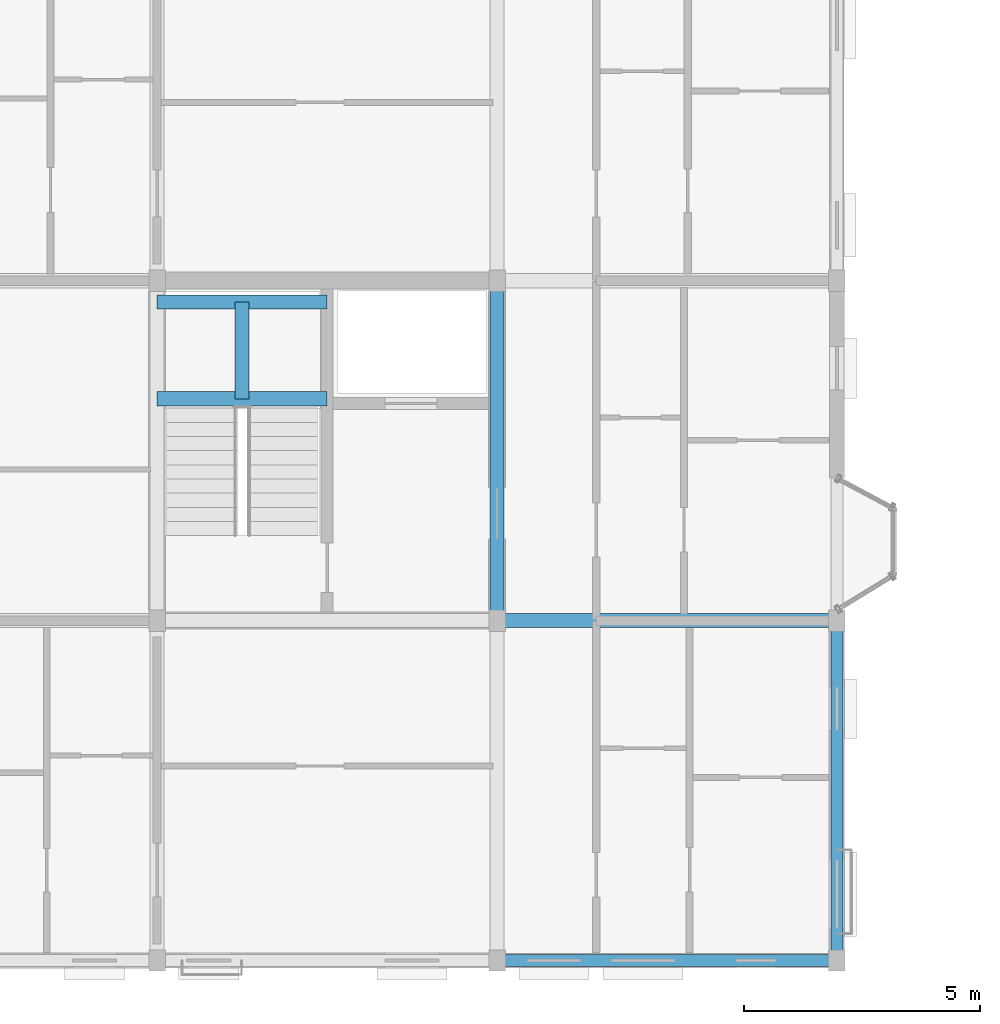
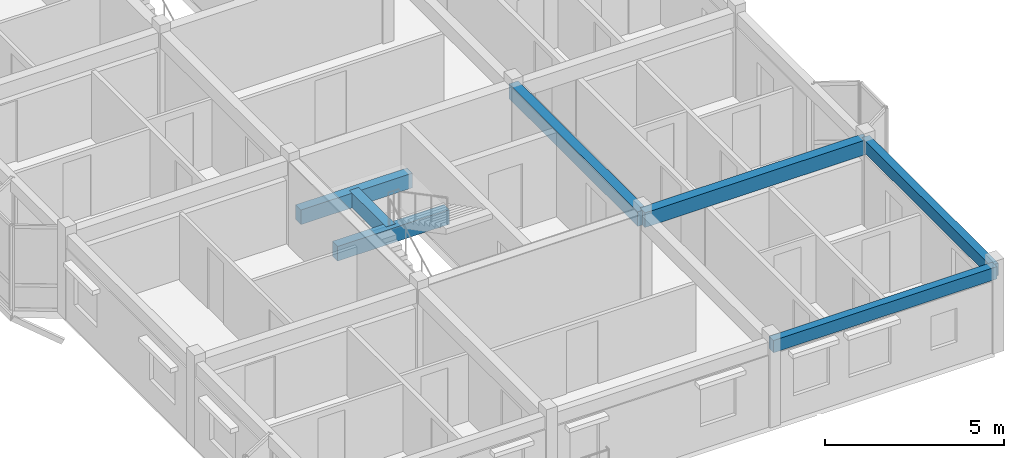
# One storey, part 5 of 22: 7 beams.
"""IFC4 building model written with IfcOpenShell, lengths in metres."""

import ifcopenshell
import ifcopenshell.guid

model = None  # the IFC model being written
_history = None  # IfcOwnerHistory: only IFC2X3 demands one
_inside = {}  # id of a spatial element -> (the spatial element, [elements in it])
_under = {}  # id of a project, library or spatial element -> (it, [spatial elements below it])
_declared = {}  # id of a project -> (the project, [libraries it declares])
_typed = {}  # id of a type object -> (the type object, [elements of that type])
_made_of = {}  # id of a material, layer set ... -> (it, [elements and type objects made of it])


def new_model(schema):
    """Start an empty IFC model of exactly this schema.

    Asked for "IFC4X3", IfcOpenShell would pick the latest addendum, in which some entities
    have other attributes; the version numbers below select the first issue.
    IFC2X3 requires an IfcOwnerHistory on every rooted entity: one is made here for all.
    """
    global model, _history
    if schema == "IFC4X3":
        model = ifcopenshell.file(schema_version=(4, 3, 0, 0))
    else:
        model = ifcopenshell.file(schema=schema)
    _inside.clear()
    _under.clear()
    _declared.clear()
    _typed.clear()
    _made_of.clear()
    _history = None
    if model.schema == "IFC2X3":
        org = make("IfcOrganization", Name="unknown")
        user = make(
            "IfcPersonAndOrganization",
            ThePerson=make("IfcPerson", FamilyName="unknown"),
            TheOrganization=org,
        )
        app = make(
            "IfcApplication",
            ApplicationDeveloper=org,
            Version="unknown",
            ApplicationFullName="unknown",
            ApplicationIdentifier="unknown",
        )
        _history = make(
            "IfcOwnerHistory",
            OwningUser=user,
            OwningApplication=app,
            ChangeAction="ADDED",
            CreationDate=0,
        )
    return model


def make(cls, **values):
    """One entity of the class cls with the attributes given. An attribute that is None is left unset."""
    return model.create_entity(
        cls, **{name: value for name, value in values.items() if value is not None}
    )


def rooted(cls, **values):
    """An entity with a GlobalId (a new one), such as an element, a storey or a relation."""
    return make(cls, GlobalId=ifcopenshell.guid.new(), OwnerHistory=_history, **values)


def si_unit(unit_type, name, prefix=None):
    """IfcSIUnit, for example si_unit("LENGTHUNIT", "METRE", prefix="MILLI")."""
    return make("IfcSIUnit", UnitType=unit_type, Prefix=prefix, Name=name)


def assignment(units):
    """IfcUnitAssignment: the units of a project."""
    return None if units is None else make("IfcUnitAssignment", Units=units)


def point(xyz):
    """IfcCartesianPoint."""
    return None if xyz is None else make("IfcCartesianPoint", Coordinates=xyz)


def direction(xyz):
    """IfcDirection."""
    return None if xyz is None else make("IfcDirection", DirectionRatios=xyz)


def frame(location, z_axis=None, x_axis=None):
    """IfcAxis2Placement3D, a coordinate frame: its origin and axes. An axis left out is left unset."""
    return make(
        "IfcAxis2Placement3D",
        Location=point(location),
        Axis=direction(z_axis),
        RefDirection=direction(x_axis),
    )


def frame_2d(location, x_axis=None):
    """IfcAxis2Placement2D, a coordinate frame in the plane: its origin and x axis."""
    return make(
        "IfcAxis2Placement2D", Location=point(location), RefDirection=direction(x_axis)
    )


def origin():
    """The frame at (0, 0, 0) with its axes left unset."""
    return frame((0.0, 0.0, 0.0))


def origin_2d():
    """The frame at (0, 0) in the plane with its x axis left unset."""
    return frame_2d((0.0, 0.0))


def place(relative_to, where):
    """IfcLocalPlacement: puts the frame where relative to a parent placement (None: the world)."""
    return make(
        "IfcLocalPlacement", PlacementRelTo=relative_to, RelativePlacement=where
    )


def context(
    kind, dimensions, precision=None, world=None, true_north=None, identifier=None
):
    """IfcGeometricRepresentationContext, for example the 3D "Model" context."""
    return make(
        "IfcGeometricRepresentationContext",
        ContextIdentifier=identifier,
        ContextType=kind,
        CoordinateSpaceDimension=dimensions,
        Precision=precision,
        WorldCoordinateSystem=world,
        TrueNorth=true_north,
    )


def subcontext(parent, identifier, kind, view, scale=None):
    """IfcGeometricRepresentationSubContext, for example "Body" below "Model"."""
    return make(
        "IfcGeometricRepresentationSubContext",
        ContextIdentifier=identifier,
        ContextType=kind,
        ParentContext=parent,
        TargetScale=scale,
        TargetView=view,
    )


def project(units=None, contexts=None):
    """IfcProject with its units and contexts."""
    return rooted(
        "IfcProject",
        Name="project",
        RepresentationContexts=contexts,
        UnitsInContext=assignment(units),
    )


def spatial(cls, under=None, at=None, **own):
    """A site, building, storey or space (cls), placed at a placement, below another one or the project."""
    s = rooted(cls, ObjectPlacement=at, **own)
    if under is not None:
        _under.setdefault(under.id(), (under, []))[1].append(s)
    return s


def profile(cls, at=None, kind="AREA", **sizes):
    """A parametric profile (cls). Its sizes go by their IFC names, for example OverallWidth=200.0."""
    return make(cls, ProfileType=kind, Position=at, **sizes)


def rectangle(**sizes):
    """IfcRectangleProfileDef."""
    return profile("IfcRectangleProfileDef", **sizes)


def extrude(swept, where, along, depth):
    """IfcExtrudedAreaSolid: the profile swept, set in the frame where, extruded along a direction by depth."""
    return make(
        "IfcExtrudedAreaSolid",
        SweptArea=swept,
        Position=where,
        ExtrudedDirection=direction(along),
        Depth=depth,
    )


def shape(context_of_items, identifier, shape_type, items):
    """IfcShapeRepresentation: the items that make up one representation, for example the "Body"."""
    return make(
        "IfcShapeRepresentation",
        ContextOfItems=context_of_items,
        RepresentationIdentifier=identifier,
        RepresentationType=shape_type,
        Items=items,
    )


def material(Name=None, Category=None):
    """IfcMaterial."""
    return make("IfcMaterial", Name=Name, Category=Category)


def material_profile(
    of_material, cross_section, Name=None, Category=None, Priority=None
):
    """IfcMaterialProfile: a cross section and its material."""
    return make(
        "IfcMaterialProfile",
        Name=Name,
        Material=of_material,
        Profile=cross_section,
        Priority=Priority,
        Category=Category,
    )


def profile_set(profiles, Name=None, composite=None):
    """IfcMaterialProfileSet."""
    return make(
        "IfcMaterialProfileSet",
        Name=Name,
        MaterialProfiles=profiles,
        CompositeProfile=composite,
    )


def made_of(thing, what):
    """Note that an element or type object is made of a material, layer set ...; save() writes the relation."""
    if what is not None:
        _made_of.setdefault(what.id(), (what, []))[1].append(thing)
    return thing


def type_object(cls, material=None, **own):
    """A type object (cls), such as IfcWallType, which elements share."""
    return made_of(rooted(cls, **own), material)


def element(
    cls,
    number,
    at=None,
    inside=None,
    cuts=None,
    type_object=None,
    material=None,
    context=None,
    identifier="Body",
    shape_type=None,
    held_by="IfcProductDefinitionShape",
    body=None,
    shapes=None,
    **own,
):
    """One element of the class cls, such as IfcWall. Its Tag is "e" and its number.

    at: its placement. inside: the storey or other place that contains it. cuts: it is an
    opening in that element (IfcRelVoidsElement). A single representation is given by context,
    identifier, shape_type and body (its items); several are given by shapes. held_by: the class
    of the entity that holds the representations. save() writes the other relations.
    """
    e = rooted(cls, Tag="e%d" % number, ObjectPlacement=at, **own)
    if body is not None:
        shapes = [shape(context, identifier, shape_type, body)]
    if shapes is not None:
        e.Representation = make(held_by, Representations=shapes)
    if inside is not None:
        _inside.setdefault(inside.id(), (inside, []))[1].append(e)
    if cuts is not None:
        rooted(
            "IfcRelVoidsElement", RelatingBuildingElement=cuts, RelatedOpeningElement=e
        )
    if type_object is not None:
        _typed.setdefault(type_object.id(), (type_object, []))[1].append(e)
    return made_of(e, material)


def aggregate(whole, parts):
    """IfcRelAggregates: a whole, such as a stair, and the parts it consists of."""
    return rooted("IfcRelAggregates", RelatingObject=whole, RelatedObjects=parts)


def save(model, path):
    """Write the relations noted so far, then the file.

    IfcRelAggregates (storeys below a building ...), IfcRelContainedInSpatialStructure (elements
    in a storey), IfcRelDefinesByType, IfcRelAssociatesMaterial and IfcRelDeclares: one each for
    every whole, place, type object, material and project.
    """
    for whole, parts in _under.values():
        aggregate(whole, parts)
    for where, things in _inside.values():
        rooted(
            "IfcRelContainedInSpatialStructure",
            RelatedElements=things,
            RelatingStructure=where,
        )
    for kind, things in _typed.values():
        rooted("IfcRelDefinesByType", RelatedObjects=things, RelatingType=kind)
    for what, things in _made_of.values():
        rooted("IfcRelAssociatesMaterial", RelatedObjects=things, RelatingMaterial=what)
    for by, libraries in _declared.values():
        rooted("IfcRelDeclares", RelatingContext=by, RelatedDefinitions=libraries)
    model.write(path)


model = new_model("IFC4")

# Units and contexts
model_context = context("Model", 3, precision=1e-05, world=origin(), true_north=direction((0.0, 1.0)))
body_context = subcontext(model_context, "Body", "Model", "MODEL_VIEW")
ifc_project = project(units=[si_unit("LENGTHUNIT", "METRE"), si_unit("AREAUNIT", "SQUARE_METRE"), si_unit("VOLUMEUNIT", "CUBIC_METRE"), si_unit("PLANEANGLEUNIT", "RADIAN"), si_unit("MASSUNIT", "GRAM", prefix="KILO"), si_unit("THERMODYNAMICTEMPERATUREUNIT", "KELVIN"), si_unit("POWERUNIT", "WATT")], contexts=[model_context])

# Site, building, storey
site_placement = place(None, origin())
site = spatial("IfcSite", under=ifc_project, at=site_placement, CompositionType="ELEMENT")
building_placement = place(site_placement, origin())
building = spatial("IfcBuilding", under=site, at=building_placement, Name="Tavuni Mirador Residences", CompositionType="ELEMENT")
storey_placement = place(building_placement, frame((0.0, 0.0, 45.449951171875)))
storey = spatial("IfcBuildingStorey", under=building, at=storey_placement, Name="L14", CompositionType="ELEMENT", Elevation=45.449951171875)

# Beams
ifc_material = material(Name="Precast concrete C40/50", Category="concrete")
ifc_material_profile_1 = material_profile(ifc_material, rectangle(XDim=0.300048828125, YDim=0.5, at=origin_2d()), Name="PC 300x500", Category="concrete")
ifc_profile_set_1 = profile_set([ifc_material_profile_1], Name="Precast concrete C40/50")
beam_type_1 = type_object("IfcBeamType", Name="BT-B500", PredefinedType="BEAM", material=ifc_profile_set_1)
beam_1_placement = place(storey_placement, frame((18.0, 14.39990234375, 2.6201171875), z_axis=(1.0, 0.0, 0.0), x_axis=(0.0, 1.0, 0.0)))
element("IfcBeam", 1, at=beam_1_placement, inside=storey, type_object=beam_type_1, Name="BMX-BLK-A-L14-02-01", PredefinedType="BEAM", context=body_context, shape_type="SweptSolid", body=[
    extrude(rectangle(XDim=0.300048828125, YDim=0.5, at=origin_2d()), origin(), (0.0, 0.0, 1.0), 7.199951171875),
])
beam_2_placement = place(storey_placement, frame((18.0, 14.39990234375, 2.6201171875), z_axis=(0.0, 1.0, 0.0), x_axis=(-1.0, 0.0, 0.0)))
element("IfcBeam", 2, at=beam_2_placement, inside=storey, type_object=beam_type_1, Name="BMY-BLK-A-L14-02-01", PredefinedType="BEAM", context=body_context, shape_type="SweptSolid", body=[
    extrude(rectangle(XDim=0.300048828125, YDim=0.5, at=origin_2d()), origin(), (0.0, 0.0, 1.0), 7.2001953125),
])
for number, where, z_axis, x_axis, name in (
    (3, (10.800048828125, 19.10009765625, 1.14501953125), (1.0, 0.0, 0.0), (0.0, 1.0, 0.0), "HLB1-C1-L14"),
    (4, (10.800048828125, 21.14990234375, 1.14501953125), (1.0, 0.0, 0.0), (0.0, 1.0, 0.0), "HLB2-C1-L14"),
):
    element("IfcBeam", number, at=place(storey_placement, frame(where, z_axis=z_axis, x_axis=x_axis)), inside=storey, type_object=beam_type_1, Name=name, PredefinedType="BEAM", context=body_context, shape_type="SweptSolid", body=[
        extrude(rectangle(XDim=0.300048828125, YDim=0.5, at=origin_2d()), origin(), (0.0, 0.0, 1.0), 3.599853515625),
    ])
beam_3_placement = place(storey_placement, frame((12.60009765625, 19.10009765625, 1.14501953125), z_axis=(0.0, 1.0, 0.0), x_axis=(-1.0, 0.0, 0.0)))
element("IfcBeam", 5, at=beam_3_placement, inside=storey, type_object=beam_type_1, Name="HLB3-C1-L14", PredefinedType="BEAM", context=body_context, shape_type="SweptSolid", body=[
    extrude(rectangle(XDim=0.300048828125, YDim=0.5, at=origin_2d()), origin(), (0.0, 0.0, 1.0), 2.0498046875),
])
ifc_material_profile_2 = material_profile(ifc_material, rectangle(XDim=0.25, YDim=0.419921875, at=origin_2d()), Name="PC 250x420", Category="concrete")
ifc_profile_set_2 = profile_set([ifc_material_profile_2], Name="Precast concrete C40/50")
beam_type_2 = type_object("IfcBeamType", Name="BT-SP420", PredefinedType="SPANDREL", material=ifc_profile_set_2)
for number, where, z_axis, x_axis, name in (
    (6, (18.0, 7.199951171875, 2.66015625), (1.0, 0.0, 0.0), (0.0, 1.0, 0.0), "BMX-BLK-A-L14-02-00"),
    (7, (25.199951171875, 7.199951171875, 2.66015625), (0.0, 1.0, 0.0), (-1.0, 0.0, 0.0), "BMY-BLK-A-L14-03-00"),
):
    element("IfcBeam", number, at=place(storey_placement, frame(where, z_axis=z_axis, x_axis=x_axis)), inside=storey, type_object=beam_type_2, Name=name, PredefinedType="SPANDREL", context=body_context, shape_type="SweptSolid", body=[
        extrude(rectangle(XDim=0.25, YDim=0.419921875, at=origin_2d()), origin(), (0.0, 0.0, 1.0), 7.199951171875),
    ])

save(model, "model.ifc")
